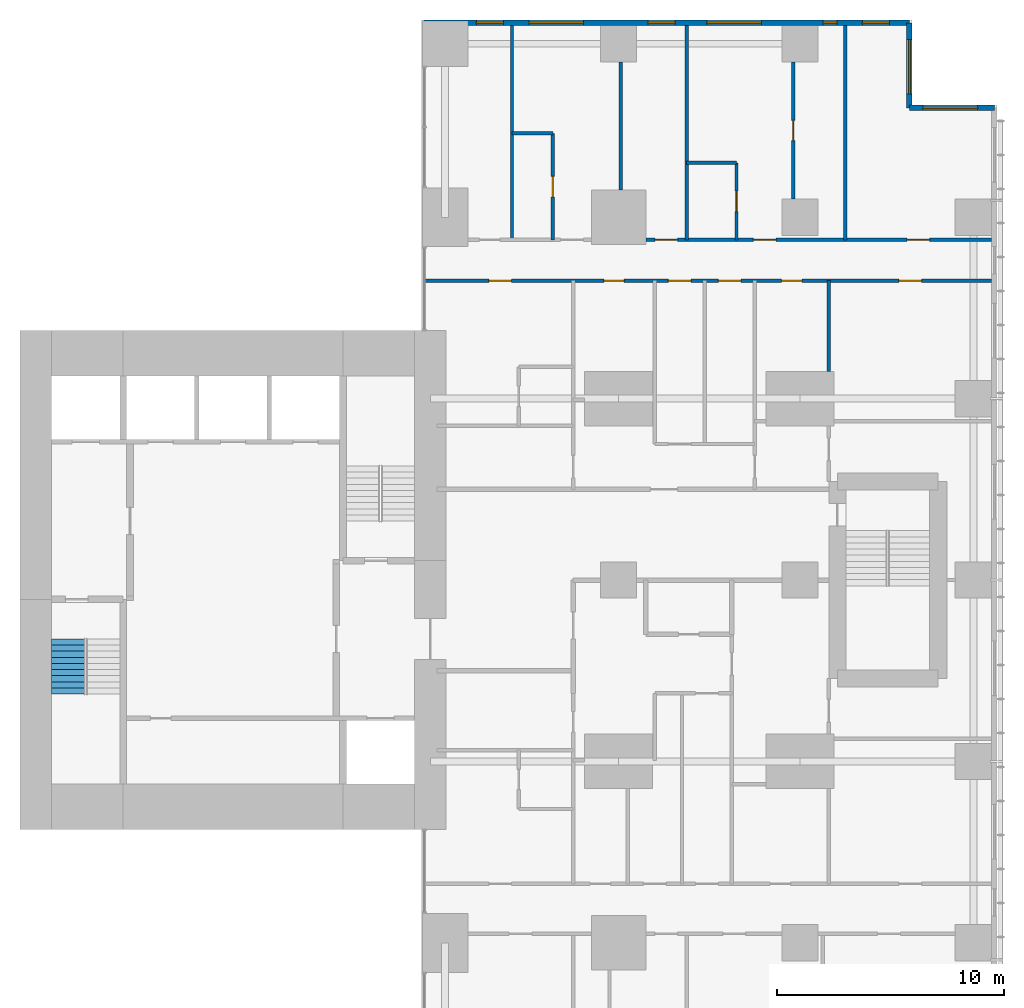
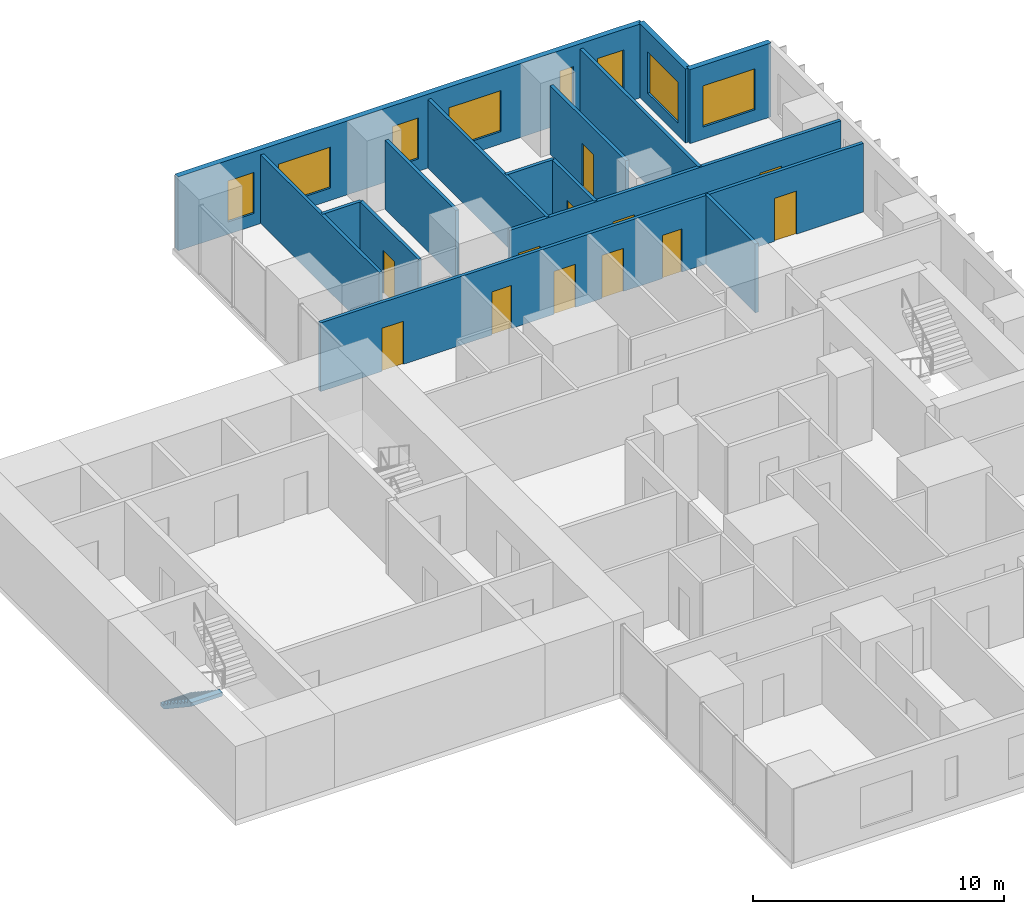
# One storey, part 10 of 12: 15 walls, 12 doors, 8 windows, 1 stair flight, 20 openings, 1 element without a shape of its own.
"""IFC4 building model written with IfcOpenShell, lengths in metres."""

from ifc_helpers import new_model, si_unit, direction, frame, frame_2d, origin, place, context, subcontext, project, spatial, polyline, rectangle, outline, extrude, material, layer, layer_set, type_object, element, fill, aggregate, save


model = new_model("IFC4")

# Units and contexts
model_context = context("Model", 3, precision=1e-05, world=origin(), true_north=direction((0.0, 1.0)))
body_context = subcontext(model_context, "Body", "Model", "MODEL_VIEW")
ifc_project = project(units=[si_unit("LENGTHUNIT", "METRE"), si_unit("AREAUNIT", "SQUARE_METRE"), si_unit("VOLUMEUNIT", "CUBIC_METRE"), si_unit("PLANEANGLEUNIT", "RADIAN"), si_unit("MASSUNIT", "GRAM", prefix="KILO")], contexts=[model_context])

# Site, building, storey
site_placement = place(None, origin())
site = spatial("IfcSite", under=ifc_project, at=site_placement, CompositionType="ELEMENT")
building_placement = place(site_placement, origin())
building = spatial("IfcBuilding", under=site, at=building_placement, Name="Cleftline Residences", CompositionType="ELEMENT")
storey_placement = place(building_placement, frame((0.0, 0.0, 244.800048828125)))
storey = spatial("IfcBuildingStorey", under=building, at=storey_placement, Name="L64", CompositionType="ELEMENT", Elevation=244.800048828125)

# Wall, opening, window
ifc_material_1 = material(Name="Rendered reinforced concrete blockwork", Category="masonry")
ifc_layer_1 = layer(ifc_material_1, 0.25)
ifc_layer_set_1 = layer_set([ifc_layer_1], Name="EXTERNAL WALL 250")
wall_type_1 = type_object("IfcWallType", Name="EXTERNAL WALL 250", PredefinedType="SOLIDWALL", material=ifc_layer_set_1)
wall_1_placement = place(storey_placement, frame((66.574951171875, 44.824951171875, 0.0), z_axis=(0.0, 0.0, 1.0), x_axis=(-1.0, 0.0, 0.0)))
wall_1 = element("IfcWall", 1, at=wall_1_placement, inside=storey, type_object=wall_type_1, Name="External wall", PredefinedType="SOLIDWALL", context=body_context, shape_type="SweptSolid", body=[
    extrude(rectangle(XDim=3.75, YDim=0.25, at=frame_2d((1.875, 0.0))), origin(), (0.0, 0.0, 1.0), 3.599853515625),
])
opening_1_placement = place(wall_1_placement, frame((0.737548828125, 0.0, 0.60009765625)))
opening_1 = element("IfcOpeningElement", 2, at=opening_1_placement, cuts=wall_1, Name="Opening W6", PredefinedType="OPENING", context=body_context, shape_type="SweptSolid", body=[
    extrude(rectangle(XDim=2.39990234375, YDim=2.0, at=frame_2d((1.199951171875, 1.0))), frame((0.0, 0.135009765625, 0.0), z_axis=(0.0, -1.0, 0.0), x_axis=(1.0, 0.0, 0.0)), (0.0, 0.0, 1.0), 0.27001953125),
])
ifc_material_2 = material(Name="Aluminium frame, clear double glazing", Category="aluminium")
window_type_1 = type_object("IfcWindowType", Name="WINDOW 2400X2000", PartitioningType="DOUBLE_PANEL_VERTICAL", PredefinedType="WINDOW", material=ifc_material_2)
window_1_placement = place(opening_1_placement, origin())
window_1 = element("IfcWindow", 3, at=window_1_placement, inside=storey, type_object=window_type_1, Name="Window", OverallHeight=2.0, OverallWidth=2.39990234375, PartitioningType="SINGLE_PANEL", PredefinedType="WINDOW", context=body_context, shape_type="SweptSolid", body=[
    extrude(rectangle(XDim=2.39990234375, YDim=2.0, at=frame_2d((1.199951171875, 1.0))), frame((0.0, 0.030029296875, 0.0), z_axis=(0.0, -1.0, 0.0), x_axis=(1.0, 0.0, 0.0)), (0.0, 0.0, 1.0), 0.06005859375),
])
fill(opening_1, window_1)

wall_2_placement = place(storey_placement, frame((62.824951171875, 44.824951171875, 0.0), z_axis=(0.0, 0.0, 1.0), x_axis=(0.0, 1.0, 0.0)))
wall_2 = element("IfcWall", 4, at=wall_2_placement, inside=storey, type_object=wall_type_1, Name="External wall", PredefinedType="SOLIDWALL", context=body_context, shape_type="SweptSolid", body=[
    extrude(rectangle(XDim=3.75, YDim=0.25, at=frame_2d((1.875, 0.0))), origin(), (0.0, 0.0, 1.0), 3.599853515625),
])
opening_2_placement = place(wall_2_placement, frame((0.612548828125, 0.0, 0.60009765625)))
opening_2 = element("IfcOpeningElement", 5, at=opening_2_placement, cuts=wall_2, Name="Opening W6", PredefinedType="OPENING", context=body_context, shape_type="SweptSolid", body=[
    extrude(rectangle(XDim=2.39990234375, YDim=2.0, at=frame_2d((1.199951171875, 1.0))), frame((0.0, 0.135009765625, 0.0), z_axis=(0.0, -1.0, 0.0), x_axis=(1.0, 0.0, 0.0)), (0.0, 0.0, 1.0), 0.27001953125),
])
window_2_placement = place(opening_2_placement, origin())
window_2 = element("IfcWindow", 6, at=window_2_placement, inside=storey, type_object=window_type_1, Name="Window", OverallHeight=2.0, OverallWidth=2.39990234375, PartitioningType="SINGLE_PANEL", PredefinedType="WINDOW", context=body_context, shape_type="SweptSolid", body=[
    extrude(rectangle(XDim=2.39990234375, YDim=2.0, at=frame_2d((1.199951171875, 1.0))), frame((0.0, 0.030029296875, 0.0), z_axis=(0.0, -1.0, 0.0), x_axis=(1.0, 0.0, 0.0)), (0.0, 0.0, 1.0), 0.06005859375),
])
fill(opening_2, window_2)

# Wall, openings, windows
wall_3_placement = place(storey_placement, frame((62.824951171875, 48.574951171875, 0.0), z_axis=(0.0, 0.0, 1.0), x_axis=(-1.0, 0.0, 0.0)))
wall_3 = element("IfcWall", 7, at=wall_3_placement, inside=storey, type_object=wall_type_1, Name="External wall", PredefinedType="SOLIDWALL", context=body_context, shape_type="SweptSolid", body=[
    extrude(rectangle(XDim=21.39990234375, YDim=0.25, at=frame_2d((10.699951171875, 0.0))), origin(), (0.0, 0.0, 1.0), 3.599853515625),
])
opening_3_placement = place(wall_3_placement, frame((0.875, 0.0, 0.60009765625)))
opening_3 = element("IfcOpeningElement", 8, at=opening_3_placement, cuts=wall_3, Name="Opening W8", PredefinedType="OPENING", context=body_context, shape_type="SweptSolid", body=[
    extrude(rectangle(XDim=1.199951171875, YDim=2.0, at=frame_2d((0.60009765625, 1.0))), frame((0.0, 0.135009765625, 0.0), z_axis=(0.0, -1.0, 0.0), x_axis=(1.0, 0.0, 0.0)), (0.0, 0.0, 1.0), 0.27001953125),
])
opening_4_placement = place(wall_3_placement, frame((3.199951171875, 0.0, 0.60009765625)))
opening_4 = element("IfcOpeningElement", 9, at=opening_4_placement, cuts=wall_3, Name="Opening W7", PredefinedType="OPENING", context=body_context, shape_type="SweptSolid", body=[
    extrude(rectangle(XDim=0.60009765625, YDim=2.0, at=frame_2d((0.300048828125, 1.0))), frame((0.0, 0.135009765625, 0.0), z_axis=(0.0, -1.0, 0.0), x_axis=(1.0, 0.0, 0.0)), (0.0, 0.0, 1.0), 0.27001953125),
])
opening_5_placement = place(wall_3_placement, frame((6.52490234375, 0.0, 0.60009765625)))
opening_5 = element("IfcOpeningElement", 10, at=opening_5_placement, cuts=wall_3, Name="Opening W6", PredefinedType="OPENING", context=body_context, shape_type="SweptSolid", body=[
    extrude(rectangle(XDim=2.39990234375, YDim=2.0, at=frame_2d((1.199951171875, 1.0))), frame((0.0, 0.135009765625, 0.0), z_axis=(0.0, -1.0, 0.0), x_axis=(1.0, 0.0, 0.0)), (0.0, 0.0, 1.0), 0.27001953125),
])
opening_6_placement = place(wall_3_placement, frame((10.324951171875, 0.0, 0.60009765625)))
opening_6 = element("IfcOpeningElement", 11, at=opening_6_placement, cuts=wall_3, Name="Opening W8", PredefinedType="OPENING", context=body_context, shape_type="SweptSolid", body=[
    extrude(rectangle(XDim=1.199951171875, YDim=2.0, at=frame_2d((0.60009765625, 1.0))), frame((0.0, 0.135009765625, 0.0), z_axis=(0.0, -1.0, 0.0), x_axis=(1.0, 0.0, 0.0)), (0.0, 0.0, 1.0), 0.27001953125),
])
opening_7_placement = place(wall_3_placement, frame((14.375, 0.0, 0.60009765625)))
opening_7 = element("IfcOpeningElement", 12, at=opening_7_placement, cuts=wall_3, Name="Opening W6", PredefinedType="OPENING", context=body_context, shape_type="SweptSolid", body=[
    extrude(rectangle(XDim=2.39990234375, YDim=2.0, at=frame_2d((1.199951171875, 1.0))), frame((0.0, 0.135009765625, 0.0), z_axis=(0.0, -1.0, 0.0), x_axis=(1.0, 0.0, 0.0)), (0.0, 0.0, 1.0), 0.27001953125),
])
opening_8_placement = place(wall_3_placement, frame((17.89990234375, 0.0, 0.60009765625)))
opening_8 = element("IfcOpeningElement", 13, at=opening_8_placement, cuts=wall_3, Name="Opening W8", PredefinedType="OPENING", context=body_context, shape_type="SweptSolid", body=[
    extrude(rectangle(XDim=1.199951171875, YDim=2.0, at=frame_2d((0.60009765625, 1.0))), frame((0.0, 0.135009765625, 0.0), z_axis=(0.0, -1.0, 0.0), x_axis=(1.0, 0.0, 0.0)), (0.0, 0.0, 1.0), 0.27001953125),
])
ifc_material_3 = material(Name="Aluminium frame, clear double glazing", Category="aluminium")
window_type_2 = type_object("IfcWindowType", Name="WINDOW 1200X2000", PartitioningType="DOUBLE_PANEL_VERTICAL", PredefinedType="WINDOW", material=ifc_material_3)
window_3_placement = place(opening_3_placement, origin())
window_3 = element("IfcWindow", 14, at=window_3_placement, inside=storey, type_object=window_type_2, Name="Window", OverallHeight=2.0, OverallWidth=1.199951171875, PartitioningType="SINGLE_PANEL", PredefinedType="WINDOW", context=body_context, shape_type="SweptSolid", body=[
    extrude(rectangle(XDim=1.199951171875, YDim=2.0, at=frame_2d((0.60009765625, 1.0))), frame((0.0, 0.030029296875, 0.0), z_axis=(0.0, -1.0, 0.0), x_axis=(1.0, 0.0, 0.0)), (0.0, 0.0, 1.0), 0.06005859375),
])
fill(opening_3, window_3)
window_4_placement = place(opening_6_placement, origin())
window_4 = element("IfcWindow", 15, at=window_4_placement, inside=storey, type_object=window_type_2, Name="Window", OverallHeight=2.0, OverallWidth=1.199951171875, PartitioningType="SINGLE_PANEL", PredefinedType="WINDOW", context=body_context, shape_type="SweptSolid", body=[
    extrude(rectangle(XDim=1.199951171875, YDim=2.0, at=frame_2d((0.60009765625, 1.0))), frame((0.0, 0.030029296875, 0.0), z_axis=(0.0, -1.0, 0.0), x_axis=(1.0, 0.0, 0.0)), (0.0, 0.0, 1.0), 0.06005859375),
])
fill(opening_6, window_4)
window_5_placement = place(opening_8_placement, origin())
window_5 = element("IfcWindow", 16, at=window_5_placement, inside=storey, type_object=window_type_2, Name="Window", OverallHeight=2.0, OverallWidth=1.199951171875, PartitioningType="SINGLE_PANEL", PredefinedType="WINDOW", context=body_context, shape_type="SweptSolid", body=[
    extrude(rectangle(XDim=1.199951171875, YDim=2.0, at=frame_2d((0.60009765625, 1.0))), frame((0.0, 0.030029296875, 0.0), z_axis=(0.0, -1.0, 0.0), x_axis=(1.0, 0.0, 0.0)), (0.0, 0.0, 1.0), 0.06005859375),
])
fill(opening_8, window_5)
window_6_placement = place(opening_5_placement, origin())
window_6 = element("IfcWindow", 17, at=window_6_placement, inside=storey, type_object=window_type_1, Name="Window", OverallHeight=2.0, OverallWidth=2.39990234375, PartitioningType="SINGLE_PANEL", PredefinedType="WINDOW", context=body_context, shape_type="SweptSolid", body=[
    extrude(rectangle(XDim=2.39990234375, YDim=2.0, at=frame_2d((1.199951171875, 1.0))), frame((0.0, 0.030029296875, 0.0), z_axis=(0.0, -1.0, 0.0), x_axis=(1.0, 0.0, 0.0)), (0.0, 0.0, 1.0), 0.06005859375),
])
fill(opening_5, window_6)
window_7_placement = place(opening_7_placement, origin())
window_7 = element("IfcWindow", 18, at=window_7_placement, inside=storey, type_object=window_type_1, Name="Window", OverallHeight=2.0, OverallWidth=2.39990234375, PartitioningType="SINGLE_PANEL", PredefinedType="WINDOW", context=body_context, shape_type="SweptSolid", body=[
    extrude(rectangle(XDim=2.39990234375, YDim=2.0, at=frame_2d((1.199951171875, 1.0))), frame((0.0, 0.030029296875, 0.0), z_axis=(0.0, -1.0, 0.0), x_axis=(1.0, 0.0, 0.0)), (0.0, 0.0, 1.0), 0.06005859375),
])
fill(opening_7, window_7)
ifc_material_4 = material(Name="Aluminium frame, clear double glazing", Category="aluminium")
window_type_3 = type_object("IfcWindowType", Name="WINDOW 600X2000", PartitioningType="DOUBLE_PANEL_VERTICAL", PredefinedType="WINDOW", material=ifc_material_4)
window_8_placement = place(opening_4_placement, origin())
window_8 = element("IfcWindow", 19, at=window_8_placement, inside=storey, type_object=window_type_3, Name="Window", OverallHeight=2.0, OverallWidth=0.60009765625, PartitioningType="SINGLE_PANEL", PredefinedType="WINDOW", context=body_context, shape_type="SweptSolid", body=[
    extrude(rectangle(XDim=0.60009765625, YDim=2.0, at=frame_2d((0.300048828125, 1.0))), frame((0.0, 0.030029296875, 0.0), z_axis=(0.0, -1.0, 0.0), x_axis=(1.0, 0.0, 0.0)), (0.0, 0.0, 1.0), 0.06005859375),
])
fill(opening_4, window_8)

# Wall, openings, doors
ifc_material_5 = material(Name="Gypsum board on steel studs", Category="steel")
ifc_layer_2 = layer(ifc_material_5, 0.14990234375)
ifc_layer_set_2 = layer_set([ifc_layer_2], Name="PARTITION 150")
wall_type_2 = type_object("IfcWallType", Name="PARTITION 150", PredefinedType="PARTITIONING", material=ifc_layer_set_2)
wall_4_placement = place(storey_placement, frame((41.43896484375, 37.199951171875, 0.0), z_axis=(0.0, 0.0, 1.0), x_axis=(1.0, 0.0, 0.0)))
wall_4 = element("IfcWall", 20, at=wall_4_placement, inside=storey, type_object=wall_type_2, Name="Partition", PredefinedType="PARTITIONING", context=body_context, shape_type="SweptSolid", body=[
    extrude(rectangle(XDim=25.010986328125, YDim=0.14990234375, at=frame_2d((12.50537109375, 0.0))), origin(), (0.0, 0.0, 1.0), 3.349853515625),
])
opening_9_placement = place(wall_4_placement, frame((10.760986328125, 0.0, 0.0)))
opening_9 = element("IfcOpeningElement", 21, at=opening_9_placement, cuts=wall_4, Name="Opening D2", PredefinedType="OPENING", context=body_context, shape_type="SweptSolid", body=[
    extrude(rectangle(XDim=1.0, YDim=2.10009765625, at=frame_2d((0.5, 1.050048828125))), frame((0.0, 0.0849609375, 0.0), z_axis=(0.0, -1.0, 0.0), x_axis=(1.0, 0.0, 0.0)), (0.0, 0.0, 1.0), 0.169921875),
])
opening_10_placement = place(wall_4_placement, frame((20.923583984375, 0.0, 0.0)))
opening_10 = element("IfcOpeningElement", 22, at=opening_10_placement, cuts=wall_4, Name="Opening D2", PredefinedType="OPENING", context=body_context, shape_type="SweptSolid", body=[
    extrude(rectangle(XDim=1.0, YDim=2.10009765625, at=frame_2d((0.5, 1.050048828125))), frame((0.0, 0.0849609375, 0.0), z_axis=(0.0, -1.0, 0.0), x_axis=(1.0, 0.0, 0.0)), (0.0, 0.0, 1.0), 0.169921875),
])
opening_11_placement = place(wall_4_placement, frame((15.74853515625, 0.0, 0.0)))
opening_11 = element("IfcOpeningElement", 23, at=opening_11_placement, cuts=wall_4, Name="Opening D1", PredefinedType="OPENING", context=body_context, shape_type="SweptSolid", body=[
    extrude(rectangle(XDim=0.89990234375, YDim=2.10009765625, at=frame_2d((0.449951171875, 1.050048828125))), frame((0.0, 0.0849609375, 0.0), z_axis=(0.0, -1.0, 0.0), x_axis=(1.0, 0.0, 0.0)), (0.0, 0.0, 1.0), 0.169921875),
])
opening_12_placement = place(wall_4_placement, frame((12.9609375, 0.0, 0.0)))
opening_12 = element("IfcOpeningElement", 24, at=opening_12_placement, cuts=wall_4, Name="Opening D2", PredefinedType="OPENING", context=body_context, shape_type="SweptSolid", body=[
    extrude(rectangle(XDim=1.0, YDim=2.10009765625, at=frame_2d((0.5, 1.050048828125))), frame((0.0, 0.0849609375, 0.0), z_axis=(0.0, -1.0, 0.0), x_axis=(1.0, 0.0, 0.0)), (0.0, 0.0, 1.0), 0.169921875),
])
opening_13_placement = place(wall_4_placement, frame((7.910888671875, 0.0, 0.0)))
opening_13 = element("IfcOpeningElement", 25, at=opening_13_placement, cuts=wall_4, Name="Opening D1", PredefinedType="OPENING", context=body_context, shape_type="SweptSolid", body=[
    extrude(rectangle(XDim=0.89990234375, YDim=2.10009765625, at=frame_2d((0.449951171875, 1.050048828125))), frame((0.0, 0.0849609375, 0.0), z_axis=(0.0, -1.0, 0.0), x_axis=(1.0, 0.0, 0.0)), (0.0, 0.0, 1.0), 0.169921875),
])
opening_14_placement = place(wall_4_placement, frame((2.8359375, 0.0, 0.0)))
opening_14 = element("IfcOpeningElement", 26, at=opening_14_placement, cuts=wall_4, Name="Opening D2", PredefinedType="OPENING", context=body_context, shape_type="SweptSolid", body=[
    extrude(rectangle(XDim=1.0, YDim=2.10009765625, at=frame_2d((0.5, 1.050048828125))), frame((0.0, 0.0849609375, 0.0), z_axis=(0.0, -1.0, 0.0), x_axis=(1.0, 0.0, 0.0)), (0.0, 0.0, 1.0), 0.169921875),
])
ifc_material_6 = material(Name="Timber veneer on solid core", Category="wood")
door_type_1 = type_object("IfcDoorType", Name="DOOR 1000X2100", OperationType="SINGLE_SWING_LEFT", PredefinedType="DOOR", material=ifc_material_6)
door_1_placement = place(opening_9_placement, origin())
door_1 = element("IfcDoor", 27, at=door_1_placement, inside=storey, type_object=door_type_1, Name="Door to residence hall", OperationType="SINGLE_SWING_RIGHT", OverallHeight=2.10009765625, OverallWidth=1.0, PredefinedType="DOOR", context=body_context, shape_type="SweptSolid", body=[
    extrude(rectangle(XDim=1.0, YDim=2.10009765625, at=frame_2d((0.5, 1.050048828125))), frame((0.0, 0.02490234375, 0.0), z_axis=(0.0, -1.0, 0.0), x_axis=(1.0, 0.0, 0.0)), (0.0, 0.0, 1.0), 0.050048828125),
])
fill(opening_9, door_1)
door_2_placement = place(opening_10_placement, origin())
door_2 = element("IfcDoor", 28, at=door_2_placement, inside=storey, type_object=door_type_1, Name="Door to master bedroom", OperationType="SINGLE_SWING_LEFT", OverallHeight=2.10009765625, OverallWidth=1.0, PredefinedType="DOOR", context=body_context, shape_type="SweptSolid", body=[
    extrude(rectangle(XDim=1.0, YDim=2.10009765625, at=frame_2d((0.5, 1.050048828125))), frame((0.0, 0.02490234375, 0.0), z_axis=(0.0, -1.0, 0.0), x_axis=(1.0, 0.0, 0.0)), (0.0, 0.0, 1.0), 0.050048828125),
])
fill(opening_10, door_2)
door_3_placement = place(opening_12_placement, origin())
door_3 = element("IfcDoor", 29, at=door_3_placement, inside=storey, type_object=door_type_1, Name="Door to family room", OperationType="SINGLE_SWING_LEFT", OverallHeight=2.10009765625, OverallWidth=1.0, PredefinedType="DOOR", context=body_context, shape_type="SweptSolid", body=[
    extrude(rectangle(XDim=1.0, YDim=2.10009765625, at=frame_2d((0.5, 1.050048828125))), frame((0.0, 0.02490234375, 0.0), z_axis=(0.0, -1.0, 0.0), x_axis=(1.0, 0.0, 0.0)), (0.0, 0.0, 1.0), 0.050048828125),
])
fill(opening_12, door_3)
door_4_placement = place(opening_14_placement, origin())
door_4 = element("IfcDoor", 30, at=door_4_placement, inside=storey, type_object=door_type_1, Name="Door to bedroom 4", OperationType="SINGLE_SWING_RIGHT", OverallHeight=2.10009765625, OverallWidth=1.0, PredefinedType="DOOR", context=body_context, shape_type="SweptSolid", body=[
    extrude(rectangle(XDim=1.0, YDim=2.10009765625, at=frame_2d((0.5, 1.050048828125))), frame((0.0, 0.02490234375, 0.0), z_axis=(0.0, -1.0, 0.0), x_axis=(1.0, 0.0, 0.0)), (0.0, 0.0, 1.0), 0.050048828125),
])
fill(opening_14, door_4)
ifc_material_7 = material(Name="Timber veneer on solid core", Category="wood")
door_type_2 = type_object("IfcDoorType", Name="DOOR 900X2100", OperationType="SINGLE_SWING_LEFT", PredefinedType="DOOR", material=ifc_material_7)
door_5_placement = place(opening_11_placement, origin())
door_5 = element("IfcDoor", 31, at=door_5_placement, inside=storey, type_object=door_type_2, Name="Door to master bathroom", OperationType="SINGLE_SWING_LEFT", OverallHeight=2.10009765625, OverallWidth=0.89990234375, PredefinedType="DOOR", context=body_context, shape_type="SweptSolid", body=[
    extrude(rectangle(XDim=0.89990234375, YDim=2.10009765625, at=frame_2d((0.449951171875, 1.050048828125))), frame((0.0, 0.02490234375, 0.0), z_axis=(0.0, -1.0, 0.0), x_axis=(1.0, 0.0, 0.0)), (0.0, 0.0, 1.0), 0.050048828125),
])
fill(opening_11, door_5)
door_6_placement = place(opening_13_placement, origin())
door_6 = element("IfcDoor", 32, at=door_6_placement, inside=storey, type_object=door_type_2, Name="Door to master dressing room", OperationType="SINGLE_SWING_RIGHT", OverallHeight=2.10009765625, OverallWidth=0.89990234375, PredefinedType="DOOR", context=body_context, shape_type="SweptSolid", body=[
    extrude(rectangle(XDim=0.89990234375, YDim=2.10009765625, at=frame_2d((0.449951171875, 1.050048828125))), frame((0.0, 0.02490234375, 0.0), z_axis=(0.0, -1.0, 0.0), x_axis=(1.0, 0.0, 0.0)), (0.0, 0.0, 1.0), 0.050048828125),
])
fill(opening_13, door_6)

wall_5_placement = place(storey_placement, frame((51.199951171875, 39.0, 0.0), z_axis=(0.0, 0.0, 1.0), x_axis=(1.0, 0.0, 0.0)))
wall_5 = element("IfcWall", 33, at=wall_5_placement, inside=storey, type_object=wall_type_2, Name="Partition", PredefinedType="PARTITIONING", context=body_context, shape_type="SweptSolid", body=[
    extrude(rectangle(XDim=15.25, YDim=0.14990234375, at=frame_2d((7.625, 0.0))), origin(), (0.0, 0.0, 1.0), 3.349853515625),
])
opening_15_placement = place(wall_5_placement, frame((11.52490234375, 0.0, 0.0)))
opening_15 = element("IfcOpeningElement", 34, at=opening_15_placement, cuts=wall_5, Name="Opening D2", PredefinedType="OPENING", context=body_context, shape_type="SweptSolid", body=[
    extrude(rectangle(XDim=1.0, YDim=2.10009765625, at=frame_2d((0.5, 1.050048828125))), frame((0.0, 0.0849609375, 0.0), z_axis=(0.0, -1.0, 0.0), x_axis=(1.0, 0.0, 0.0)), (0.0, 0.0, 1.0), 0.169921875),
])
opening_16_placement = place(wall_5_placement, frame((4.75, 0.0, 0.0)))
opening_16 = element("IfcOpeningElement", 35, at=opening_16_placement, cuts=wall_5, Name="Opening D2", PredefinedType="OPENING", context=body_context, shape_type="SweptSolid", body=[
    extrude(rectangle(XDim=1.0, YDim=2.10009765625, at=frame_2d((0.5, 1.050048828125))), frame((0.0, 0.0849609375, 0.0), z_axis=(0.0, -1.0, 0.0), x_axis=(1.0, 0.0, 0.0)), (0.0, 0.0, 1.0), 0.169921875),
])
opening_17_placement = place(wall_5_placement, frame((0.39990234375, 0.0, 0.0)))
opening_17 = element("IfcOpeningElement", 36, at=opening_17_placement, cuts=wall_5, Name="Opening D2", PredefinedType="OPENING", context=body_context, shape_type="SweptSolid", body=[
    extrude(rectangle(XDim=1.0, YDim=2.10009765625, at=frame_2d((0.5, 1.050048828125))), frame((0.0, 0.0849609375, 0.0), z_axis=(0.0, -1.0, 0.0), x_axis=(1.0, 0.0, 0.0)), (0.0, 0.0, 1.0), 0.169921875),
])
door_7_placement = place(opening_15_placement, origin())
door_7 = element("IfcDoor", 37, at=door_7_placement, inside=storey, type_object=door_type_1, Name="Door to gym", OperationType="SINGLE_SWING_LEFT", OverallHeight=2.10009765625, OverallWidth=1.0, PredefinedType="DOOR", context=body_context, shape_type="SweptSolid", body=[
    extrude(rectangle(XDim=1.0, YDim=2.10009765625, at=frame_2d((0.5, 1.050048828125))), frame((0.0, 0.02490234375, 0.0), z_axis=(0.0, -1.0, 0.0), x_axis=(1.0, 0.0, 0.0)), (0.0, 0.0, 1.0), 0.050048828125),
])
fill(opening_15, door_7)
door_8_placement = place(opening_16_placement, origin())
door_8 = element("IfcDoor", 38, at=door_8_placement, inside=storey, type_object=door_type_1, Name="Door to bedroom 2", OperationType="SINGLE_SWING_RIGHT", OverallHeight=2.10009765625, OverallWidth=1.0, PredefinedType="DOOR", context=body_context, shape_type="SweptSolid", body=[
    extrude(rectangle(XDim=1.0, YDim=2.10009765625, at=frame_2d((0.5, 1.050048828125))), frame((0.0, 0.02490234375, 0.0), z_axis=(0.0, -1.0, 0.0), x_axis=(1.0, 0.0, 0.0)), (0.0, 0.0, 1.0), 0.050048828125),
])
fill(opening_16, door_8)
door_9_placement = place(opening_17_placement, origin())
door_9 = element("IfcDoor", 39, at=door_9_placement, inside=storey, type_object=door_type_1, Name="Door to bedroom 3 sitting room", OperationType="SINGLE_SWING_RIGHT", OverallHeight=2.10009765625, OverallWidth=1.0, PredefinedType="DOOR", context=body_context, shape_type="SweptSolid", body=[
    extrude(rectangle(XDim=1.0, YDim=2.10009765625, at=frame_2d((0.5, 1.050048828125))), frame((0.0, 0.02490234375, 0.0), z_axis=(0.0, -1.0, 0.0), x_axis=(1.0, 0.0, 0.0)), (0.0, 0.0, 1.0), 0.050048828125),
])
fill(opening_17, door_9)

# Walls
wall_6_placement = place(storey_placement, frame((53.0, 42.39990234375, 0.0), z_axis=(0.0, 0.0, 1.0), x_axis=(1.0, 0.0, 0.0)))
element("IfcWall", 40, at=wall_6_placement, inside=storey, type_object=wall_type_2, Name="Partition", PredefinedType="PARTITIONING", context=body_context, shape_type="SweptSolid", body=[
    extrude(rectangle(XDim=2.199951171875, YDim=0.14990234375, at=frame_2d((1.10009765625, 0.0))), origin(), (0.0, 0.0, 1.0), 3.349853515625),
])
wall_7_placement = place(storey_placement, frame((45.300048828125, 43.699951171875, 0.0), z_axis=(0.0, 0.0, 1.0), x_axis=(1.0, 0.0, 0.0)))
element("IfcWall", 41, at=wall_7_placement, inside=storey, type_object=wall_type_2, Name="Partition", PredefinedType="PARTITIONING", context=body_context, shape_type="SweptSolid", body=[
    extrude(rectangle(XDim=1.800048828125, YDim=0.14990234375, at=frame_2d((0.89990234375, 0.0))), origin(), (0.0, 0.0, 1.0), 3.349853515625),
])
wall_8_placement = place(storey_placement, frame((45.300048828125, 39.0, 0.0), z_axis=(0.0, 0.0, 1.0), x_axis=(0.0, 1.0, 0.0)))
element("IfcWall", 42, at=wall_8_placement, inside=storey, type_object=wall_type_2, Name="Partition", PredefinedType="PARTITIONING", context=body_context, shape_type="SweptSolid", body=[
    extrude(rectangle(XDim=9.449951171875, YDim=0.14990234375, at=frame_2d((4.72509765625, 0.0))), origin(), (0.0, 0.0, 1.0), 3.349853515625),
])

# Wall, opening, door
wall_9_placement = place(storey_placement, frame((47.10009765625, 39.0, 0.0), z_axis=(0.0, 0.0, 1.0), x_axis=(0.0, 1.0, 0.0)))
wall_9 = element("IfcWall", 43, at=wall_9_placement, inside=storey, type_object=wall_type_2, Name="Partition", PredefinedType="PARTITIONING", context=body_context, shape_type="SweptSolid", body=[
    extrude(rectangle(XDim=4.699951171875, YDim=0.14990234375, at=frame_2d((2.35009765625, 0.0))), origin(), (0.0, 0.0, 1.0), 3.349853515625),
])
opening_18_placement = place(wall_9_placement, frame((1.89990234375, 0.0, 0.0)))
opening_18 = element("IfcOpeningElement", 44, at=opening_18_placement, cuts=wall_9, Name="Opening D1", PredefinedType="OPENING", context=body_context, shape_type="SweptSolid", body=[
    extrude(rectangle(XDim=0.89990234375, YDim=2.10009765625, at=frame_2d((0.449951171875, 1.050048828125))), frame((0.0, 0.0849609375, 0.0), z_axis=(0.0, -1.0, 0.0), x_axis=(1.0, 0.0, 0.0)), (0.0, 0.0, 1.0), 0.169921875),
])
door_10_placement = place(opening_18_placement, origin())
door_10 = element("IfcDoor", 45, at=door_10_placement, inside=storey, type_object=door_type_2, Name="Door to en-suite bathroom 3", OperationType="SINGLE_SWING_LEFT", OverallHeight=2.10009765625, OverallWidth=0.89990234375, PredefinedType="DOOR", context=body_context, shape_type="SweptSolid", body=[
    extrude(rectangle(XDim=0.89990234375, YDim=2.10009765625, at=frame_2d((0.449951171875, 1.050048828125))), frame((0.0, 0.02490234375, 0.0), z_axis=(0.0, -1.0, 0.0), x_axis=(1.0, 0.0, 0.0)), (0.0, 0.0, 1.0), 0.050048828125),
])
fill(opening_18, door_10)

# Walls
wall_10_placement = place(storey_placement, frame((50.10009765625, 41.199951171875, 0.0), z_axis=(0.0, 0.0, 1.0), x_axis=(0.0, 1.0, 0.0)))
element("IfcWall", 46, at=wall_10_placement, inside=storey, type_object=wall_type_2, Name="Partition", PredefinedType="PARTITIONING", context=body_context, shape_type="SweptSolid", body=[
    extrude(rectangle(XDim=5.650146484375, YDim=0.14990234375, at=frame_2d((2.8251953125, 0.0))), origin(), (0.0, 0.0, 1.0), 3.349853515625),
])
wall_11_placement = place(storey_placement, frame((53.0, 39.0, 0.0), z_axis=(0.0, 0.0, 1.0), x_axis=(0.0, 1.0, 0.0)))
element("IfcWall", 47, at=wall_11_placement, inside=storey, type_object=wall_type_2, Name="Partition", PredefinedType="PARTITIONING", context=body_context, shape_type="SweptSolid", body=[
    extrude(rectangle(XDim=9.449951171875, YDim=0.14990234375, at=frame_2d((4.72509765625, 0.0))), origin(), (0.0, 0.0, 1.0), 3.349853515625),
])

# Wall, opening, door
wall_12_placement = place(storey_placement, frame((55.199951171875, 39.0, 0.0), z_axis=(0.0, 0.0, 1.0), x_axis=(0.0, 1.0, 0.0)))
wall_12 = element("IfcWall", 48, at=wall_12_placement, inside=storey, type_object=wall_type_2, Name="Partition", PredefinedType="PARTITIONING", context=body_context, shape_type="SweptSolid", body=[
    extrude(rectangle(XDim=3.39990234375, YDim=0.14990234375, at=frame_2d((1.699951171875, 0.0))), origin(), (0.0, 0.0, 1.0), 3.349853515625),
])
opening_19_placement = place(wall_12_placement, frame((1.25, 0.0, 0.0)))
opening_19 = element("IfcOpeningElement", 49, at=opening_19_placement, cuts=wall_12, Name="Opening D1", PredefinedType="OPENING", context=body_context, shape_type="SweptSolid", body=[
    extrude(rectangle(XDim=0.89990234375, YDim=2.10009765625, at=frame_2d((0.449951171875, 1.050048828125))), frame((0.0, 0.0849609375, 0.0), z_axis=(0.0, -1.0, 0.0), x_axis=(1.0, 0.0, 0.0)), (0.0, 0.0, 1.0), 0.169921875),
])
door_11_placement = place(opening_19_placement, origin())
door_11 = element("IfcDoor", 50, at=door_11_placement, inside=storey, type_object=door_type_2, Name="Door to en-suite bathroom 2", OperationType="SINGLE_SWING_LEFT", OverallHeight=2.10009765625, OverallWidth=0.89990234375, PredefinedType="DOOR", context=body_context, shape_type="SweptSolid", body=[
    extrude(rectangle(XDim=0.89990234375, YDim=2.10009765625, at=frame_2d((0.449951171875, 1.050048828125))), frame((0.0, 0.02490234375, 0.0), z_axis=(0.0, -1.0, 0.0), x_axis=(1.0, 0.0, 0.0)), (0.0, 0.0, 1.0), 0.050048828125),
])
fill(opening_19, door_11)

wall_13_placement = place(storey_placement, frame((57.699951171875, 40.800048828125, 0.0), z_axis=(0.0, 0.0, 1.0), x_axis=(0.0, 1.0, 0.0)))
wall_13 = element("IfcWall", 51, at=wall_13_placement, inside=storey, type_object=wall_type_2, Name="Partition", PredefinedType="PARTITIONING", context=body_context, shape_type="SweptSolid", body=[
    extrude(rectangle(XDim=6.050048828125, YDim=0.14990234375, at=frame_2d((3.02490234375, 0.0))), origin(), (0.0, 0.0, 1.0), 3.349853515625),
])
opening_20_placement = place(wall_13_placement, frame((2.574951171875, 0.0, 0.0)))
opening_20 = element("IfcOpeningElement", 52, at=opening_20_placement, cuts=wall_13, Name="Opening D1", PredefinedType="OPENING", context=body_context, shape_type="SweptSolid", body=[
    extrude(rectangle(XDim=0.89990234375, YDim=2.10009765625, at=frame_2d((0.449951171875, 1.050048828125))), frame((0.0, 0.0849609375, 0.0), z_axis=(0.0, -1.0, 0.0), x_axis=(1.0, 0.0, 0.0)), (0.0, 0.0, 1.0), 0.169921875),
])
door_12_placement = place(opening_20_placement, origin())
door_12 = element("IfcDoor", 53, at=door_12_placement, inside=storey, type_object=door_type_2, Name="Door to walk-in wardrobe", OperationType="SINGLE_SWING_LEFT", OverallHeight=2.10009765625, OverallWidth=0.89990234375, PredefinedType="DOOR", context=body_context, shape_type="SweptSolid", body=[
    extrude(rectangle(XDim=0.89990234375, YDim=2.10009765625, at=frame_2d((0.449951171875, 1.050048828125))), frame((0.0, 0.02490234375, 0.0), z_axis=(0.0, -1.0, 0.0), x_axis=(1.0, 0.0, 0.0)), (0.0, 0.0, 1.0), 0.050048828125),
])
fill(opening_20, door_12)

# Walls
wall_14_placement = place(storey_placement, frame((59.27490234375, 33.199951171875, 0.0), z_axis=(0.0, 0.0, 1.0), x_axis=(0.0, 1.0, 0.0)))
element("IfcWall", 54, at=wall_14_placement, inside=storey, type_object=wall_type_2, Name="Partition", PredefinedType="PARTITIONING", context=body_context, shape_type="SweptSolid", body=[
    extrude(rectangle(XDim=4.0, YDim=0.14990234375, at=frame_2d((2.0, 0.0))), origin(), (0.0, 0.0, 1.0), 3.349853515625),
])
wall_15_placement = place(storey_placement, frame((60.0, 39.0, 0.0), z_axis=(0.0, 0.0, 1.0), x_axis=(0.0, 1.0, 0.0)))
element("IfcWall", 55, at=wall_15_placement, inside=storey, type_object=wall_type_2, Name="Partition", PredefinedType="PARTITIONING", context=body_context, shape_type="SweptSolid", body=[
    extrude(rectangle(XDim=9.449951171875, YDim=0.14990234375, at=frame_2d((4.72509765625, 0.0))), origin(), (0.0, 0.0, 1.0), 3.349853515625),
])

# Stair, stair flight
ifc_material_8 = material(Name="Concrete B45, stone treads", Category="masonry")
stair_type = type_object("IfcStairType", Name="STAIR A 1450 WIDE 180 RISER", PredefinedType="HALF_TURN_STAIR", material=ifc_material_8)
stair_placement = place(storey_placement, origin())
stair = element("IfcStair", 56, at=stair_placement, inside=storey, type_object=stair_type, Name="Stair A L64", PredefinedType="HALF_TURN_STAIR")
ifc_material_9 = material(Name="Concrete B45", Category="concrete")
stair_flight_type = type_object("IfcStairFlightType", Name="STAIR A FLIGHT 1450X180", PredefinedType="STRAIGHT", material=ifc_material_9)
stair_flight_placement = place(storey_placement, frame((25.72509765625, 21.39990234375, 0.0), z_axis=(0.0, 0.0, 1.0), x_axis=(0.0, -1.0, 0.0)))
stair_flight = element("IfcStairFlight", 57, at=stair_flight_placement, type_object=stair_flight_type, Name="ST-A flight 1", NumberOfRisers=10, NumberOfTreads=9, PredefinedType="STRAIGHT", RiserHeight=0.18, TreadLength=0.27, context=body_context, shape_type="SweptSolid", body=[
    extrude(outline(polyline([(0.0, 0.0), (0.0, 0.013916015625), (0.0, 0.027587890625), (0.0, 0.04150390625), (0.0, 0.055419921875), (0.0, 0.0693359375), (0.0, 0.0830078125), (0.0, 0.096923828125), (0.0, 0.11083984375), (0.0, 0.12451171875), (0.0, 0.138427734375), (0.0, 0.15234375), (0.0, 0.166259765625), (0.0, 0.179931640625), (0.27001953125, 0.179931640625), (0.27001953125, 0.360107421875), (0.5400390625, 0.360107421875), (0.5400390625, 0.5400390625), (0.81005859375, 0.5400390625), (0.81005859375, 0.719970703125), (1.080078125, 0.719970703125), (1.080078125, 0.89990234375), (1.35009765625, 0.89990234375), (1.35009765625, 1.080078125), (1.6201171875, 1.080078125), (1.6201171875, 1.260009765625), (1.889892578125, 1.260009765625), (1.889892578125, 1.43994140625), (2.159912109375, 1.43994140625), (2.159912109375, 1.6201171875), (2.429931640625, 1.6201171875), (2.429931640625, 1.800048828125), (2.429931640625, 1.772216796875), (2.429931640625, 1.74462890625), (2.429931640625, 1.716796875), (2.429931640625, 1.689208984375), (2.429931640625, 1.661376953125), (2.429931640625, 1.6337890625), (2.429931640625, 1.60595703125), (2.429931640625, 1.578369140625), (2.429931640625, 1.550537109375), (2.429931640625, 1.52294921875), (2.429931640625, 1.495361328125), (2.429931640625, 1.467529296875), (2.429931640625, 1.43994140625), (0.270263671875, 0.0), (0.0, 0.0)])), frame((0.0, 0.72509765625, 0.0), z_axis=(0.0, -1.0, 0.0), x_axis=(1.0, 0.0, 0.0)), (0.0, 0.0, 1.0), 1.449951171875),
])
aggregate(stair, [stair_flight])

save(model, "model.ifc")
